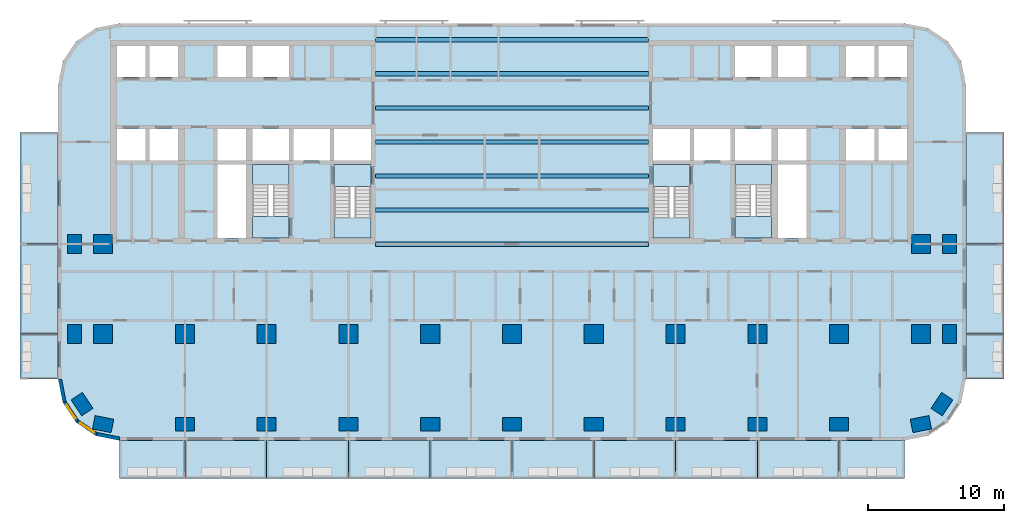
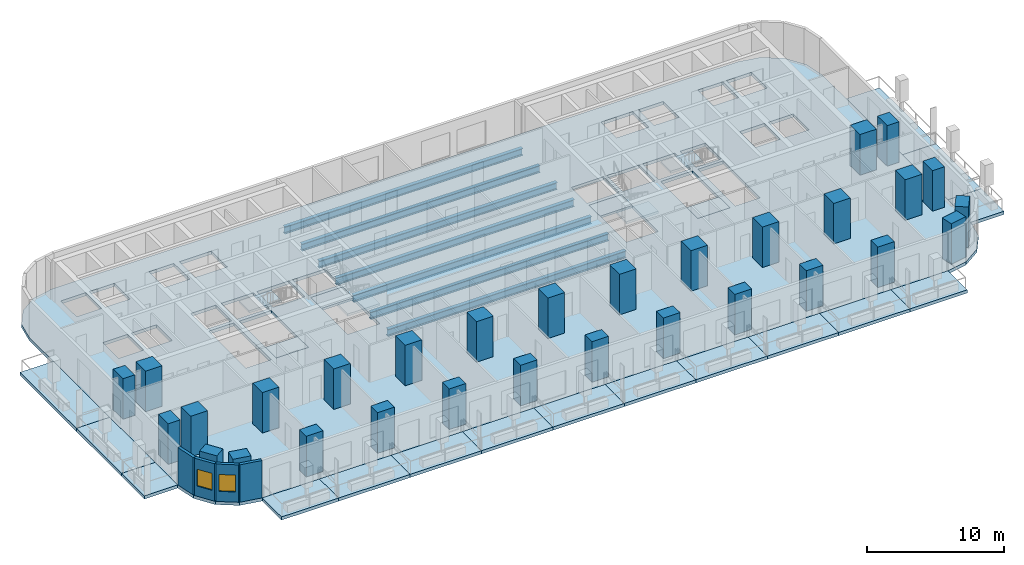
# One storey, part 1 of 15: 30 columns, 25 slabs, 7 beams, 4 walls, 2 windows, 2 openings, 4 elements without a shape of their own.
"""IFC4 building model written with IfcOpenShell, lengths in metres."""

import ifcopenshell
import ifcopenshell.guid

model = None  # the IFC model being written
_history = None  # IfcOwnerHistory: only IFC2X3 demands one
_inside = {}  # id of a spatial element -> (the spatial element, [elements in it])
_under = {}  # id of a project, library or spatial element -> (it, [spatial elements below it])
_declared = {}  # id of a project -> (the project, [libraries it declares])
_typed = {}  # id of a type object -> (the type object, [elements of that type])
_made_of = {}  # id of a material, layer set ... -> (it, [elements and type objects made of it])


def new_model(schema):
    """Start an empty IFC model of exactly this schema.

    Asked for "IFC4X3", IfcOpenShell would pick the latest addendum, in which some entities
    have other attributes; the version numbers below select the first issue.
    IFC2X3 requires an IfcOwnerHistory on every rooted entity: one is made here for all.
    """
    global model, _history
    if schema == "IFC4X3":
        model = ifcopenshell.file(schema_version=(4, 3, 0, 0))
    else:
        model = ifcopenshell.file(schema=schema)
    _inside.clear()
    _under.clear()
    _declared.clear()
    _typed.clear()
    _made_of.clear()
    _history = None
    if model.schema == "IFC2X3":
        org = make("IfcOrganization", Name="unknown")
        user = make(
            "IfcPersonAndOrganization",
            ThePerson=make("IfcPerson", FamilyName="unknown"),
            TheOrganization=org,
        )
        app = make(
            "IfcApplication",
            ApplicationDeveloper=org,
            Version="unknown",
            ApplicationFullName="unknown",
            ApplicationIdentifier="unknown",
        )
        _history = make(
            "IfcOwnerHistory",
            OwningUser=user,
            OwningApplication=app,
            ChangeAction="ADDED",
            CreationDate=0,
        )
    return model


def make(cls, **values):
    """One entity of the class cls with the attributes given. An attribute that is None is left unset."""
    return model.create_entity(
        cls, **{name: value for name, value in values.items() if value is not None}
    )


def rooted(cls, **values):
    """An entity with a GlobalId (a new one), such as an element, a storey or a relation."""
    return make(cls, GlobalId=ifcopenshell.guid.new(), OwnerHistory=_history, **values)


def si_unit(unit_type, name, prefix=None):
    """IfcSIUnit, for example si_unit("LENGTHUNIT", "METRE", prefix="MILLI")."""
    return make("IfcSIUnit", UnitType=unit_type, Prefix=prefix, Name=name)


def assignment(units):
    """IfcUnitAssignment: the units of a project."""
    return None if units is None else make("IfcUnitAssignment", Units=units)


def point(xyz):
    """IfcCartesianPoint."""
    return None if xyz is None else make("IfcCartesianPoint", Coordinates=xyz)


def direction(xyz):
    """IfcDirection."""
    return None if xyz is None else make("IfcDirection", DirectionRatios=xyz)


def frame(location, z_axis=None, x_axis=None):
    """IfcAxis2Placement3D, a coordinate frame: its origin and axes. An axis left out is left unset."""
    return make(
        "IfcAxis2Placement3D",
        Location=point(location),
        Axis=direction(z_axis),
        RefDirection=direction(x_axis),
    )


def frame_2d(location, x_axis=None):
    """IfcAxis2Placement2D, a coordinate frame in the plane: its origin and x axis."""
    return make(
        "IfcAxis2Placement2D", Location=point(location), RefDirection=direction(x_axis)
    )


def origin():
    """The frame at (0, 0, 0) with its axes left unset."""
    return frame((0.0, 0.0, 0.0))


def origin_2d():
    """The frame at (0, 0) in the plane with its x axis left unset."""
    return frame_2d((0.0, 0.0))


def place(relative_to, where):
    """IfcLocalPlacement: puts the frame where relative to a parent placement (None: the world)."""
    return make(
        "IfcLocalPlacement", PlacementRelTo=relative_to, RelativePlacement=where
    )


def context(
    kind, dimensions, precision=None, world=None, true_north=None, identifier=None
):
    """IfcGeometricRepresentationContext, for example the 3D "Model" context."""
    return make(
        "IfcGeometricRepresentationContext",
        ContextIdentifier=identifier,
        ContextType=kind,
        CoordinateSpaceDimension=dimensions,
        Precision=precision,
        WorldCoordinateSystem=world,
        TrueNorth=true_north,
    )


def subcontext(parent, identifier, kind, view, scale=None):
    """IfcGeometricRepresentationSubContext, for example "Body" below "Model"."""
    return make(
        "IfcGeometricRepresentationSubContext",
        ContextIdentifier=identifier,
        ContextType=kind,
        ParentContext=parent,
        TargetScale=scale,
        TargetView=view,
    )


def project(units=None, contexts=None):
    """IfcProject with its units and contexts."""
    return rooted(
        "IfcProject",
        Name="project",
        RepresentationContexts=contexts,
        UnitsInContext=assignment(units),
    )


def spatial(cls, under=None, at=None, **own):
    """A site, building, storey or space (cls), placed at a placement, below another one or the project."""
    s = rooted(cls, ObjectPlacement=at, **own)
    if under is not None:
        _under.setdefault(under.id(), (under, []))[1].append(s)
    return s


def polyline(points):
    """IfcPolyline through the points."""
    return make("IfcPolyline", Points=[point(p) for p in points])


def profile(cls, at=None, kind="AREA", **sizes):
    """A parametric profile (cls). Its sizes go by their IFC names, for example OverallWidth=200.0."""
    return make(cls, ProfileType=kind, Position=at, **sizes)


def rectangle(**sizes):
    """IfcRectangleProfileDef."""
    return profile("IfcRectangleProfileDef", **sizes)


def i_section(**sizes):
    """IfcIShapeProfileDef."""
    return profile("IfcIShapeProfileDef", **sizes)


def outline(outer, holes=None, kind="AREA"):
    """IfcArbitraryClosedProfileDef: a profile drawn as a closed curve; with holes, ...WithVoids."""
    if holes is None:
        return make("IfcArbitraryClosedProfileDef", ProfileType=kind, OuterCurve=outer)
    return make(
        "IfcArbitraryProfileDefWithVoids",
        ProfileType=kind,
        OuterCurve=outer,
        InnerCurves=holes,
    )


def extrude(swept, where, along, depth):
    """IfcExtrudedAreaSolid: the profile swept, set in the frame where, extruded along a direction by depth."""
    return make(
        "IfcExtrudedAreaSolid",
        SweptArea=swept,
        Position=where,
        ExtrudedDirection=direction(along),
        Depth=depth,
    )


def shape(context_of_items, identifier, shape_type, items):
    """IfcShapeRepresentation: the items that make up one representation, for example the "Body"."""
    return make(
        "IfcShapeRepresentation",
        ContextOfItems=context_of_items,
        RepresentationIdentifier=identifier,
        RepresentationType=shape_type,
        Items=items,
    )


def material(Name=None, Category=None):
    """IfcMaterial."""
    return make("IfcMaterial", Name=Name, Category=Category)


def layer(
    of_material, thickness, ventilated=None, Name=None, Category=None, Priority=None
):
    """IfcMaterialLayer: one layer of a wall or slab, of a material (None: an air gap)."""
    return make(
        "IfcMaterialLayer",
        Material=of_material,
        LayerThickness=thickness,
        IsVentilated=ventilated,
        Name=Name,
        Category=Category,
        Priority=Priority,
    )


def layer_set(layers, Name=None):
    """IfcMaterialLayerSet."""
    return make("IfcMaterialLayerSet", MaterialLayers=layers, LayerSetName=Name)


def material_profile(
    of_material, cross_section, Name=None, Category=None, Priority=None
):
    """IfcMaterialProfile: a cross section and its material."""
    return make(
        "IfcMaterialProfile",
        Name=Name,
        Material=of_material,
        Profile=cross_section,
        Priority=Priority,
        Category=Category,
    )


def profile_set(profiles, Name=None, composite=None):
    """IfcMaterialProfileSet."""
    return make(
        "IfcMaterialProfileSet",
        Name=Name,
        MaterialProfiles=profiles,
        CompositeProfile=composite,
    )


def made_of(thing, what):
    """Note that an element or type object is made of a material, layer set ...; save() writes the relation."""
    if what is not None:
        _made_of.setdefault(what.id(), (what, []))[1].append(thing)
    return thing


def type_object(cls, material=None, **own):
    """A type object (cls), such as IfcWallType, which elements share."""
    return made_of(rooted(cls, **own), material)


def element(
    cls,
    number,
    at=None,
    inside=None,
    cuts=None,
    type_object=None,
    material=None,
    context=None,
    identifier="Body",
    shape_type=None,
    held_by="IfcProductDefinitionShape",
    body=None,
    shapes=None,
    **own,
):
    """One element of the class cls, such as IfcWall. Its Tag is "e" and its number.

    at: its placement. inside: the storey or other place that contains it. cuts: it is an
    opening in that element (IfcRelVoidsElement). A single representation is given by context,
    identifier, shape_type and body (its items); several are given by shapes. held_by: the class
    of the entity that holds the representations. save() writes the other relations.
    """
    e = rooted(cls, Tag="e%d" % number, ObjectPlacement=at, **own)
    if body is not None:
        shapes = [shape(context, identifier, shape_type, body)]
    if shapes is not None:
        e.Representation = make(held_by, Representations=shapes)
    if inside is not None:
        _inside.setdefault(inside.id(), (inside, []))[1].append(e)
    if cuts is not None:
        rooted(
            "IfcRelVoidsElement", RelatingBuildingElement=cuts, RelatedOpeningElement=e
        )
    if type_object is not None:
        _typed.setdefault(type_object.id(), (type_object, []))[1].append(e)
    return made_of(e, material)


def fill(opening, filler):
    """IfcRelFillsElement: the door or window that sits in an opening."""
    return rooted(
        "IfcRelFillsElement",
        RelatingOpeningElement=opening,
        RelatedBuildingElement=filler,
    )


def aggregate(whole, parts):
    """IfcRelAggregates: a whole, such as a stair, and the parts it consists of."""
    return rooted("IfcRelAggregates", RelatingObject=whole, RelatedObjects=parts)


def save(model, path):
    """Write the relations noted so far, then the file.

    IfcRelAggregates (storeys below a building ...), IfcRelContainedInSpatialStructure (elements
    in a storey), IfcRelDefinesByType, IfcRelAssociatesMaterial and IfcRelDeclares: one each for
    every whole, place, type object, material and project.
    """
    for whole, parts in _under.values():
        aggregate(whole, parts)
    for where, things in _inside.values():
        rooted(
            "IfcRelContainedInSpatialStructure",
            RelatedElements=things,
            RelatingStructure=where,
        )
    for kind, things in _typed.values():
        rooted("IfcRelDefinesByType", RelatedObjects=things, RelatingType=kind)
    for what, things in _made_of.values():
        rooted("IfcRelAssociatesMaterial", RelatedObjects=things, RelatingMaterial=what)
    for by, libraries in _declared.values():
        rooted("IfcRelDeclares", RelatingContext=by, RelatedDefinitions=libraries)
    model.write(path)


model = new_model("IFC4")

# Units and contexts
model_context = context("Model", 3, precision=1e-05, world=origin(), true_north=direction((0.0, 1.0)))
body_context = subcontext(model_context, "Body", "Model", "MODEL_VIEW")
ifc_project = project(units=[si_unit("LENGTHUNIT", "METRE"), si_unit("AREAUNIT", "SQUARE_METRE"), si_unit("VOLUMEUNIT", "CUBIC_METRE"), si_unit("PLANEANGLEUNIT", "RADIAN"), si_unit("MASSUNIT", "GRAM", prefix="KILO")], contexts=[model_context])

# Site, building, storey
site_placement = place(None, origin())
site = spatial("IfcSite", under=ifc_project, at=site_placement, CompositionType="ELEMENT")
building_placement = place(site_placement, origin())
building = spatial("IfcBuilding", under=site, at=building_placement, Name="Torana Hotel and Residences", CompositionType="ELEMENT")
storey_placement = place(building_placement, frame((0.0, 0.0, 92.39990234375)))
storey = spatial("IfcBuildingStorey", under=building, at=storey_placement, Name="L23", CompositionType="ELEMENT", Elevation=92.39990234375)

# Columns
ifc_material_1 = material(Name="Concrete C70/85", Category="concrete")
ifc_material_profile_1 = material_profile(ifc_material_1, rectangle(XDim=1.39990234375, YDim=1.0, at=origin_2d()), Name="RC 1400x1000")
ifc_profile_set_1 = profile_set([ifc_material_profile_1], Name="Concrete C70/85")
column_type_1 = type_object("IfcColumnType", Name="COLUMN RC 1400x1000 C70/85", PredefinedType="COLUMN", material=ifc_profile_set_1)
for number, where, z_axis, x_axis, name in (
    (1, (-32.10009765625, -21.60009765625, 0.0), (0.0, 0.0, 1.0), (0.0, 1.0, 0.0), "Column L23"),
    (2, (-32.10009765625, -15.0, 0.0), (0.0, 0.0, 1.0), (0.0, 1.0, 0.0), "Column L23"),
    (3, (-31.5439453125, -26.73291015625, 0.0), (0.0, 0.0, 1.0), (-0.555584744817, 0.831459915646, 0.0), "Column L23"),
    (4, (-30.0, -28.199951171875, 0.0), (0.0, 0.0, 1.0), (-0.980792089743, 0.195056086032, 0.0), "Column L23"),
    (5, (-24.0, -28.199951171875, 0.0), (0.0, 0.0, 1.0), (1.0, 0.0, 0.0), "Column L23"),
    (6, (-18.0, -28.199951171875, 0.0), (0.0, 0.0, 1.0), (1.0, 0.0, 0.0), "Column L23"),
    (7, (-12.0, -28.199951171875, 0.0), (0.0, 0.0, 1.0), (1.0, 0.0, 0.0), "Column L23"),
    (8, (-6.0, -28.199951171875, 0.0), (0.0, 0.0, 1.0), (1.0, 0.0, 0.0), "Column L23"),
    (9, (0.0, -28.199951171875, 0.0), (0.0, 0.0, 1.0), (1.0, 0.0, 0.0), "Column L23"),
    (10, (6.0, -28.199951171875, 0.0), (0.0, 0.0, 1.0), (1.0, 0.0, 0.0), "Column L23"),
    (11, (12.0, -28.199951171875, 0.0), (0.0, 0.0, 1.0), (1.0, 0.0, 0.0), "Column L23"),
    (12, (18.0, -28.199951171875, 0.0), (0.0, 0.0, 1.0), (1.0, 0.0, 0.0), "Column L23"),
    (13, (24.0, -28.199951171875, 0.0), (0.0, 0.0, 1.0), (1.0, 0.0, 0.0), "Column L23"),
    (14, (30.0, -28.199951171875, 0.0), (0.0, 0.0, 1.0), (0.980792089743, 0.195056086032, 0.0), "Column L23"),
    (15, (31.5439453125, -26.73291015625, 0.0), (0.0, 0.0, 1.0), (0.555584744817, 0.831459915646, 0.0), "Column L23"),
    (16, (32.10009765625, -21.60009765625, 0.0), (0.0, 0.0, 1.0), (0.0, 1.0, 0.0), "Column L23"),
    (17, (32.10009765625, -15.0, 0.0), (0.0, 0.0, 1.0), (0.0, 1.0, 0.0), "Column L23"),
):
    element("IfcColumn", number, at=place(storey_placement, frame(where, z_axis=z_axis, x_axis=x_axis)), inside=storey, type_object=column_type_1, Name=name, PredefinedType="COLUMN", context=body_context, shape_type="SweptSolid", body=[
        extrude(rectangle(XDim=1.39990234375, YDim=1.0, at=origin_2d()), origin(), (0.0, 0.0, 1.0), 3.60009765625),
    ])
ifc_material_2 = material(Name="Concrete C70/85", Category="concrete")
ifc_material_profile_2 = material_profile(ifc_material_2, rectangle(XDim=1.39990234375, YDim=1.39990234375, at=origin_2d()), Name="RC 1400x1400")
ifc_profile_set_2 = profile_set([ifc_material_profile_2], Name="Concrete C70/85")
column_type_2 = type_object("IfcColumnType", Name="COLUMN RC 1400x1400 C70/85", PredefinedType="COLUMN", material=ifc_profile_set_2)
for number, where, z_axis, x_axis, name in (
    (18, (-30.0, -21.60009765625, 0.0), (0.0, 0.0, 1.0), (1.0, 0.0, 0.0), "Column L23"),
    (19, (-30.0, -15.0, 0.0), (0.0, 0.0, 1.0), (1.0, 0.0, 0.0), "Column L23"),
    (20, (-24.0, -21.60009765625, 0.0), (0.0, 0.0, 1.0), (1.0, 0.0, 0.0), "Column L23"),
    (21, (-18.0, -21.60009765625, 0.0), (0.0, 0.0, 1.0), (1.0, 0.0, 0.0), "Column L23"),
    (22, (-12.0, -21.60009765625, 0.0), (0.0, 0.0, 1.0), (1.0, 0.0, 0.0), "Column L23"),
    (23, (-6.0, -21.60009765625, 0.0), (0.0, 0.0, 1.0), (1.0, 0.0, 0.0), "Column L23"),
    (24, (0.0, -21.60009765625, 0.0), (0.0, 0.0, 1.0), (1.0, 0.0, 0.0), "Column L23"),
    (25, (6.0, -21.60009765625, 0.0), (0.0, 0.0, 1.0), (1.0, 0.0, 0.0), "Column L23"),
    (26, (12.0, -21.60009765625, 0.0), (0.0, 0.0, 1.0), (1.0, 0.0, 0.0), "Column L23"),
    (27, (18.0, -21.60009765625, 0.0), (0.0, 0.0, 1.0), (1.0, 0.0, 0.0), "Column L23"),
    (28, (24.0, -21.60009765625, 0.0), (0.0, 0.0, 1.0), (1.0, 0.0, 0.0), "Column L23"),
    (29, (30.0, -21.60009765625, 0.0), (0.0, 0.0, 1.0), (1.0, 0.0, 0.0), "Column L23"),
    (30, (30.0, -15.0, 0.0), (0.0, 0.0, 1.0), (1.0, 0.0, 0.0), "Column L23"),
):
    element("IfcColumn", number, at=place(storey_placement, frame(where, z_axis=z_axis, x_axis=x_axis)), inside=storey, type_object=column_type_2, Name=name, PredefinedType="COLUMN", context=body_context, shape_type="SweptSolid", body=[
        extrude(rectangle(XDim=1.39990234375, YDim=1.39990234375, at=origin_2d()), origin(), (0.0, 0.0, 1.0), 3.60009765625),
    ])

# Beams
ifc_material_3 = material(Name="Steel S355", Category="steel")
ifc_material_profile_3 = material_profile(ifc_material_3, i_section(OverallWidth=0.311279296875, OverallDepth=0.6357421875, WebThickness=0.018310546875, FlangeThickness=0.031494140625, FilletRadius=0.0166015625, at=origin_2d()), Name="610x305x238 UB")
ifc_profile_set_3 = profile_set([ifc_material_profile_3], Name="Steel S355")
beam_type = type_object("IfcBeamType", Name="STEEL GIRDER 610x305x238 UB", PredefinedType="BEAM", material=ifc_profile_set_3)
for number, where, z_axis, x_axis, name in (
    (31, (-10.0, -15.0, -0.597900390625), (1.0, 0.0, 0.0), (0.0, 1.0, 0.0), "Floor girder"),
    (32, (-10.0, -12.5, -0.597900390625), (1.0, 0.0, 0.0), (0.0, 1.0, 0.0), "Floor girder"),
    (33, (-10.0, -10.0, -0.597900390625), (1.0, 0.0, 0.0), (0.0, 1.0, 0.0), "Floor girder"),
    (34, (-10.0, -7.5, -0.597900390625), (1.0, 0.0, 0.0), (0.0, 1.0, 0.0), "Floor girder"),
    (35, (-10.0, -5.0, -0.597900390625), (1.0, 0.0, 0.0), (0.0, 1.0, 0.0), "Floor girder"),
    (36, (-10.0, -2.5, -0.597900390625), (1.0, 0.0, 0.0), (0.0, 1.0, 0.0), "Floor girder"),
    (37, (-10.0, 0.0, -0.597900390625), (1.0, 0.0, 0.0), (0.0, 1.0, 0.0), "Floor girder"),
):
    element("IfcBeam", number, at=place(storey_placement, frame(where, z_axis=z_axis, x_axis=x_axis)), inside=storey, type_object=beam_type, Name=name, PredefinedType="BEAM", context=body_context, shape_type="SweptSolid", body=[
        extrude(i_section(OverallWidth=0.311279296875, OverallDepth=0.6357421875, WebThickness=0.018310546875, FlangeThickness=0.031494140625, FilletRadius=0.0166015625, at=origin_2d()), origin(), (0.0, 0.0, 1.0), 20.0),
    ])

# Slabs
ifc_material_4 = material(Name="Concrete C40/50", Category="concrete")
ifc_layer_1 = layer(ifc_material_4, 0.280029296875)
ifc_layer_set_1 = layer_set([ifc_layer_1], Name="BAL1 BALCONY SLAB 280")
slab_type_1 = type_object("IfcSlabType", Name="BAL1 BALCONY SLAB 280", PredefinedType="USERDEFINED", material=ifc_layer_set_1)
slab_1_placement = place(storey_placement, frame((0.0, 0.0, -0.27978515625)))
element("IfcSlab", 38, at=slab_1_placement, inside=storey, type_object=slab_type_1, Name="Balcony 01", ObjectType="BALCONY", PredefinedType="USERDEFINED", context=body_context, shape_type="SweptSolid", body=[
    extrude(outline(polyline([(-28.800048828125, -32.199951171875), (-24.0, -32.199951171875), (-24.0, -29.39990234375), (-28.800048828125, -29.39990234375), (-28.800048828125, -32.199951171875)])), origin(), (0.0, 0.0, 1.0), 0.27978515625),
])
slab_2_placement = place(storey_placement, frame((0.0, 0.0, -0.27978515625)))
element("IfcSlab", 39, at=slab_2_placement, inside=storey, type_object=slab_type_1, Name="Balcony 02", ObjectType="BALCONY", PredefinedType="USERDEFINED", context=body_context, shape_type="SweptSolid", body=[
    extrude(outline(polyline([(-24.0, -32.199951171875), (-18.0, -32.199951171875), (-18.0, -29.39990234375), (-24.0, -29.39990234375), (-24.0, -32.199951171875)])), origin(), (0.0, 0.0, 1.0), 0.27978515625),
])
slab_3_placement = place(storey_placement, frame((0.0, 0.0, -0.27978515625)))
element("IfcSlab", 40, at=slab_3_placement, inside=storey, type_object=slab_type_1, Name="Balcony 03", ObjectType="BALCONY", PredefinedType="USERDEFINED", context=body_context, shape_type="SweptSolid", body=[
    extrude(outline(polyline([(-18.0, -32.199951171875), (-12.0, -32.199951171875), (-12.0, -29.39990234375), (-18.0, -29.39990234375), (-18.0, -32.199951171875)])), origin(), (0.0, 0.0, 1.0), 0.27978515625),
])
slab_4_placement = place(storey_placement, frame((0.0, 0.0, -0.27978515625)))
element("IfcSlab", 41, at=slab_4_placement, inside=storey, type_object=slab_type_1, Name="Balcony 04", ObjectType="BALCONY", PredefinedType="USERDEFINED", context=body_context, shape_type="SweptSolid", body=[
    extrude(outline(polyline([(-12.0, -32.199951171875), (-6.0, -32.199951171875), (-6.0, -29.39990234375), (-12.0, -29.39990234375), (-12.0, -32.199951171875)])), origin(), (0.0, 0.0, 1.0), 0.27978515625),
])
slab_5_placement = place(storey_placement, frame((0.0, 0.0, -0.27978515625)))
element("IfcSlab", 42, at=slab_5_placement, inside=storey, type_object=slab_type_1, Name="Balcony 05", ObjectType="BALCONY", PredefinedType="USERDEFINED", context=body_context, shape_type="SweptSolid", body=[
    extrude(outline(polyline([(-6.0, -32.199951171875), (0.0, -32.199951171875), (0.0, -29.39990234375), (-6.0, -29.39990234375), (-6.0, -32.199951171875)])), origin(), (0.0, 0.0, 1.0), 0.27978515625),
])
slab_6_placement = place(storey_placement, frame((0.0, 0.0, -0.27978515625)))
element("IfcSlab", 43, at=slab_6_placement, inside=storey, type_object=slab_type_1, Name="Balcony 06", ObjectType="BALCONY", PredefinedType="USERDEFINED", context=body_context, shape_type="SweptSolid", body=[
    extrude(outline(polyline([(0.0, -32.199951171875), (6.0, -32.199951171875), (6.0, -29.39990234375), (0.0, -29.39990234375), (0.0, -32.199951171875)])), origin(), (0.0, 0.0, 1.0), 0.27978515625),
])
slab_7_placement = place(storey_placement, frame((0.0, 0.0, -0.27978515625)))
element("IfcSlab", 44, at=slab_7_placement, inside=storey, type_object=slab_type_1, Name="Balcony 07", ObjectType="BALCONY", PredefinedType="USERDEFINED", context=body_context, shape_type="SweptSolid", body=[
    extrude(outline(polyline([(6.0, -32.199951171875), (12.0, -32.199951171875), (12.0, -29.39990234375), (6.0, -29.39990234375), (6.0, -32.199951171875)])), origin(), (0.0, 0.0, 1.0), 0.27978515625),
])
slab_8_placement = place(storey_placement, frame((0.0, 0.0, -0.27978515625)))
element("IfcSlab", 45, at=slab_8_placement, inside=storey, type_object=slab_type_1, Name="Balcony 08", ObjectType="BALCONY", PredefinedType="USERDEFINED", context=body_context, shape_type="SweptSolid", body=[
    extrude(outline(polyline([(12.0, -32.199951171875), (18.0, -32.199951171875), (18.0, -29.39990234375), (12.0, -29.39990234375), (12.0, -32.199951171875)])), origin(), (0.0, 0.0, 1.0), 0.27978515625),
])
slab_9_placement = place(storey_placement, frame((0.0, 0.0, -0.27978515625)))
element("IfcSlab", 46, at=slab_9_placement, inside=storey, type_object=slab_type_1, Name="Balcony 09", ObjectType="BALCONY", PredefinedType="USERDEFINED", context=body_context, shape_type="SweptSolid", body=[
    extrude(outline(polyline([(18.0, -32.199951171875), (24.0, -32.199951171875), (24.0, -29.39990234375), (18.0, -29.39990234375), (18.0, -32.199951171875)])), origin(), (0.0, 0.0, 1.0), 0.27978515625),
])
slab_10_placement = place(storey_placement, frame((0.0, 0.0, -0.27978515625)))
element("IfcSlab", 47, at=slab_10_placement, inside=storey, type_object=slab_type_1, Name="Balcony 10", ObjectType="BALCONY", PredefinedType="USERDEFINED", context=body_context, shape_type="SweptSolid", body=[
    extrude(outline(polyline([(24.0, -32.199951171875), (28.800048828125, -32.199951171875), (28.800048828125, -29.39990234375), (24.0, -29.39990234375), (24.0, -32.199951171875)])), origin(), (0.0, 0.0, 1.0), 0.27978515625),
])
slab_11_placement = place(storey_placement, frame((0.0, 0.0, -0.27978515625)))
element("IfcSlab", 48, at=slab_11_placement, inside=storey, type_object=slab_type_1, Name="Balcony 11", ObjectType="BALCONY", PredefinedType="USERDEFINED", context=body_context, shape_type="SweptSolid", body=[
    extrude(outline(polyline([(-36.10009765625, -24.89990234375), (-33.300048828125, -24.89990234375), (-33.300048828125, -21.60009765625), (-36.10009765625, -21.60009765625), (-36.10009765625, -24.89990234375)])), origin(), (0.0, 0.0, 1.0), 0.27978515625),
])
slab_12_placement = place(storey_placement, frame((0.0, 0.0, -0.27978515625)))
element("IfcSlab", 49, at=slab_12_placement, inside=storey, type_object=slab_type_1, Name="Balcony 12", ObjectType="BALCONY", PredefinedType="USERDEFINED", context=body_context, shape_type="SweptSolid", body=[
    extrude(outline(polyline([(-36.10009765625, -21.60009765625), (-33.300048828125, -21.60009765625), (-33.300048828125, -15.0), (-36.10009765625, -15.0), (-36.10009765625, -21.60009765625)])), origin(), (0.0, 0.0, 1.0), 0.27978515625),
])
slab_13_placement = place(storey_placement, frame((0.0, 0.0, -0.27978515625)))
element("IfcSlab", 50, at=slab_13_placement, inside=storey, type_object=slab_type_1, Name="Balcony 13", ObjectType="BALCONY", PredefinedType="USERDEFINED", context=body_context, shape_type="SweptSolid", body=[
    extrude(outline(polyline([(-36.10009765625, -15.0), (-33.300048828125, -15.0), (-33.300048828125, -6.800048828125), (-36.10009765625, -6.800048828125), (-36.10009765625, -15.0)])), origin(), (0.0, 0.0, 1.0), 0.27978515625),
])
slab_14_placement = place(storey_placement, frame((0.0, 0.0, -0.27978515625)))
element("IfcSlab", 51, at=slab_14_placement, inside=storey, type_object=slab_type_1, Name="Balcony 14", ObjectType="BALCONY", PredefinedType="USERDEFINED", context=body_context, shape_type="SweptSolid", body=[
    extrude(outline(polyline([(33.300048828125, -24.89990234375), (36.10009765625, -24.89990234375), (36.10009765625, -21.60009765625), (33.300048828125, -21.60009765625), (33.300048828125, -24.89990234375)])), origin(), (0.0, 0.0, 1.0), 0.27978515625),
])
slab_15_placement = place(storey_placement, frame((0.0, 0.0, -0.27978515625)))
element("IfcSlab", 52, at=slab_15_placement, inside=storey, type_object=slab_type_1, Name="Balcony 15", ObjectType="BALCONY", PredefinedType="USERDEFINED", context=body_context, shape_type="SweptSolid", body=[
    extrude(outline(polyline([(33.300048828125, -21.60009765625), (36.10009765625, -21.60009765625), (36.10009765625, -15.0), (33.300048828125, -15.0), (33.300048828125, -21.60009765625)])), origin(), (0.0, 0.0, 1.0), 0.27978515625),
])
slab_16_placement = place(storey_placement, frame((0.0, 0.0, -0.27978515625)))
element("IfcSlab", 53, at=slab_16_placement, inside=storey, type_object=slab_type_1, Name="Balcony 16", ObjectType="BALCONY", PredefinedType="USERDEFINED", context=body_context, shape_type="SweptSolid", body=[
    extrude(outline(polyline([(33.300048828125, -15.0), (36.10009765625, -15.0), (36.10009765625, -6.800048828125), (33.300048828125, -6.800048828125), (33.300048828125, -15.0)])), origin(), (0.0, 0.0, 1.0), 0.27978515625),
])
ifc_material_5 = material(Name="Concrete C40/50", Category="concrete")
ifc_layer_2 = layer(ifc_material_5, 0.280029296875)
ifc_layer_set_2 = layer_set([ifc_layer_2], Name="FLOOR SLAB PT 280")
slab_type_2 = type_object("IfcSlabType", Name="FLOOR SLAB PT 280", PredefinedType="FLOOR", material=ifc_layer_set_2)
slab_17_placement = place(storey_placement, frame((0.0, 0.0, -0.27978515625)))
element("IfcSlab", 54, at=slab_17_placement, inside=storey, type_object=slab_type_2, Name="Floor slab", PredefinedType="FLOOR", context=body_context, shape_type="SweptSolid", body=[
    extrude(outline(polyline([(33.300048828125, -3.300048828125), (32.95751953125, -1.577880859375), (31.98193359375, -0.117919921875), (30.522216796875, 0.857421875), (28.800048828125, 1.199951171875), (-28.800048828125, 1.199951171875), (-30.522216796875, 0.857421875), (-31.98193359375, -0.117919921875), (-32.95751953125, -1.577880859375), (-33.300048828125, -3.300048828125), (-33.300048828125, -24.89990234375), (-32.95751953125, -26.6220703125), (-31.98193359375, -28.08203125), (-30.522216796875, -29.0576171875), (-28.800048828125, -29.39990234375), (28.800048828125, -29.39990234375), (30.522216796875, -29.0576171875), (31.98193359375, -28.08203125), (32.95751953125, -26.6220703125), (33.300048828125, -24.89990234375), (33.300048828125, -3.300048828125)]), holes=[polyline([(-13.050048828125, -14.550048828125), (-10.35009765625, -14.550048828125), (-10.35009765625, -9.14990234375), (-13.050048828125, -9.14990234375), (-13.050048828125, -14.550048828125)]), polyline([(-19.050048828125, -14.550048828125), (-16.35009765625, -14.550048828125), (-16.35009765625, -9.14990234375), (-19.050048828125, -9.14990234375), (-19.050048828125, -14.550048828125)]), polyline([(-19.050048828125, -2.75), (-16.35009765625, -2.75), (-16.35009765625, -0.449951171875), (-19.050048828125, -0.449951171875), (-19.050048828125, -2.75)]), polyline([(-26.60009765625, -2.75), (-24.5, -2.75), (-24.5, -0.449951171875), (-26.60009765625, -0.449951171875), (-26.60009765625, -2.75)]), polyline([(-29.0, -2.75), (-26.89990234375, -2.75), (-26.89990234375, -0.449951171875), (-29.0, -0.449951171875), (-29.0, -2.75)]), polyline([(-26.60009765625, -8.85009765625), (-24.5, -8.85009765625), (-24.5, -6.550048828125), (-26.60009765625, -6.550048828125), (-26.60009765625, -8.85009765625)]), polyline([(-29.0, -8.85009765625), (-26.89990234375, -8.85009765625), (-26.89990234375, -6.550048828125), (-29.0, -6.550048828125), (-29.0, -8.85009765625)]), polyline([(-21.60009765625, -2.75), (-19.5, -2.75), (-19.5, -0.449951171875), (-21.60009765625, -0.449951171875), (-21.60009765625, -2.75)]), polyline([(-21.60009765625, -8.85009765625), (-19.5, -8.85009765625), (-19.5, -6.550048828125), (-21.60009765625, -6.550048828125), (-21.60009765625, -8.85009765625)]), polyline([(-13.050048828125, -8.85009765625), (-10.35009765625, -8.85009765625), (-10.35009765625, -6.550048828125), (-13.050048828125, -6.550048828125), (-13.050048828125, -8.85009765625)]), polyline([(-16.050048828125, -8.85009765625), (-13.35009765625, -8.85009765625), (-13.35009765625, -6.550048828125), (-16.050048828125, -6.550048828125), (-16.050048828125, -8.85009765625)]), polyline([(-19.050048828125, -8.85009765625), (-16.35009765625, -8.85009765625), (-16.35009765625, -6.550048828125), (-19.050048828125, -6.550048828125), (-19.050048828125, -8.85009765625)]), polyline([(-21.60009765625, -14.550048828125), (-19.5, -14.550048828125), (-19.5, -9.14990234375), (-21.60009765625, -9.14990234375), (-21.60009765625, -14.550048828125)]), polyline([(10.35009765625, -14.550048828125), (13.050048828125, -14.550048828125), (13.050048828125, -9.14990234375), (10.35009765625, -9.14990234375), (10.35009765625, -14.550048828125)]), polyline([(16.35009765625, -14.550048828125), (19.050048828125, -14.550048828125), (19.050048828125, -9.14990234375), (16.35009765625, -9.14990234375), (16.35009765625, -14.550048828125)]), polyline([(16.35009765625, -2.75), (19.050048828125, -2.75), (19.050048828125, -0.449951171875), (16.35009765625, -0.449951171875), (16.35009765625, -2.75)]), polyline([(24.5, -2.75), (26.60009765625, -2.75), (26.60009765625, -0.449951171875), (24.5, -0.449951171875), (24.5, -2.75)]), polyline([(26.89990234375, -2.75), (29.0, -2.75), (29.0, -0.449951171875), (26.89990234375, -0.449951171875), (26.89990234375, -2.75)]), polyline([(24.5, -8.85009765625), (26.60009765625, -8.85009765625), (26.60009765625, -6.550048828125), (24.5, -6.550048828125), (24.5, -8.85009765625)]), polyline([(26.89990234375, -8.85009765625), (29.0, -8.85009765625), (29.0, -6.550048828125), (26.89990234375, -6.550048828125), (26.89990234375, -8.85009765625)]), polyline([(19.5, -2.75), (21.60009765625, -2.75), (21.60009765625, -0.449951171875), (19.5, -0.449951171875), (19.5, -2.75)]), polyline([(19.5, -8.85009765625), (21.60009765625, -8.85009765625), (21.60009765625, -6.550048828125), (19.5, -6.550048828125), (19.5, -8.85009765625)]), polyline([(10.35009765625, -8.85009765625), (13.050048828125, -8.85009765625), (13.050048828125, -6.550048828125), (10.35009765625, -6.550048828125), (10.35009765625, -8.85009765625)]), polyline([(13.35009765625, -8.85009765625), (16.050048828125, -8.85009765625), (16.050048828125, -6.550048828125), (13.35009765625, -6.550048828125), (13.35009765625, -8.85009765625)]), polyline([(16.35009765625, -8.85009765625), (19.050048828125, -8.85009765625), (19.050048828125, -6.550048828125), (16.35009765625, -6.550048828125), (16.35009765625, -8.85009765625)]), polyline([(19.5, -14.550048828125), (21.60009765625, -14.550048828125), (21.60009765625, -9.14990234375), (19.5, -9.14990234375), (19.5, -14.550048828125)])]), origin(), (0.0, 0.0, 1.0), 0.27978515625),
])

# Stair, slabs
ifc_material_6 = material(Name="Concrete C40/50 precast", Category="concrete")
stair_type_1 = type_object("IfcStairType", Name="STAIR ST1 HALF TURN 1200", PredefinedType="HALF_TURN_STAIR", material=ifc_material_6)
stair_1_placement = place(storey_placement, origin())
stair_1 = element("IfcStair", 55, at=stair_1_placement, inside=storey, type_object=stair_type_1, Name="Stair ST1 L23", PredefinedType="HALF_TURN_STAIR")
ifc_material_7 = material(Name="Concrete C40/50 precast", Category="concrete")
ifc_layer_3 = layer(ifc_material_7, 0.199951171875)
ifc_layer_set_3 = layer_set([ifc_layer_3], Name="STAIR LANDING 200")
slab_type_3 = type_object("IfcSlabType", Name="STAIR LANDING 200", PredefinedType="LANDING", material=ifc_layer_set_3)
slab_18_placement = place(storey_placement, frame((0.0, 0.0, 1.60009765625)))
slab_18 = element("IfcSlab", 56, at=slab_18_placement, type_object=slab_type_3, Name="ST1 landing 1", PredefinedType="LANDING", context=body_context, shape_type="SweptSolid", body=[
    extrude(outline(polyline([(-13.050048828125, -14.550048828125), (-10.35009765625, -14.550048828125), (-10.35009765625, -13.090087890625), (-13.050048828125, -13.090087890625), (-13.050048828125, -14.550048828125)])), origin(), (0.0, 0.0, 1.0), 0.199951171875),
])
slab_19_placement = place(storey_placement, frame((0.0, 0.0, -0.199951171875)))
slab_19 = element("IfcSlab", 57, at=slab_19_placement, type_object=slab_type_3, Name="ST1 landing 2", PredefinedType="LANDING", context=body_context, shape_type="SweptSolid", body=[
    extrude(outline(polyline([(-13.050048828125, -10.75), (-10.35009765625, -10.75), (-10.35009765625, -9.14990234375), (-13.050048828125, -9.14990234375), (-13.050048828125, -10.75)])), origin(), (0.0, 0.0, 1.0), 0.199951171875),
])
aggregate(stair_1, [slab_18, slab_19])

ifc_material_8 = material(Name="Concrete C40/50 precast", Category="concrete")
stair_type_2 = type_object("IfcStairType", Name="STAIR ST2 HALF TURN 1200", PredefinedType="HALF_TURN_STAIR", material=ifc_material_8)
stair_2_placement = place(storey_placement, origin())
stair_2 = element("IfcStair", 58, at=stair_2_placement, inside=storey, type_object=stair_type_2, Name="Stair ST2 L23", PredefinedType="HALF_TURN_STAIR")
slab_20_placement = place(storey_placement, frame((0.0, 0.0, 1.60009765625)))
slab_20 = element("IfcSlab", 59, at=slab_20_placement, type_object=slab_type_3, Name="ST2 landing 1", PredefinedType="LANDING", context=body_context, shape_type="SweptSolid", body=[
    extrude(outline(polyline([(-19.050048828125, -10.610107421875), (-16.35009765625, -10.610107421875), (-16.35009765625, -9.14990234375), (-19.050048828125, -9.14990234375), (-19.050048828125, -10.610107421875)])), origin(), (0.0, 0.0, 1.0), 0.199951171875),
])
slab_21_placement = place(storey_placement, frame((0.0, 0.0, -0.199951171875)))
slab_21 = element("IfcSlab", 60, at=slab_21_placement, type_object=slab_type_3, Name="ST2 landing 2", PredefinedType="LANDING", context=body_context, shape_type="SweptSolid", body=[
    extrude(outline(polyline([(-19.050048828125, -14.550048828125), (-16.35009765625, -14.550048828125), (-16.35009765625, -12.949951171875), (-19.050048828125, -12.949951171875), (-19.050048828125, -14.550048828125)])), origin(), (0.0, 0.0, 1.0), 0.199951171875),
])
aggregate(stair_2, [slab_20, slab_21])

ifc_material_9 = material(Name="Concrete C40/50 precast", Category="concrete")
stair_type_3 = type_object("IfcStairType", Name="STAIR ST3 HALF TURN 1200", PredefinedType="HALF_TURN_STAIR", material=ifc_material_9)
stair_3_placement = place(storey_placement, origin())
stair_3 = element("IfcStair", 61, at=stair_3_placement, inside=storey, type_object=stair_type_3, Name="Stair ST3 L23", PredefinedType="HALF_TURN_STAIR")
slab_22_placement = place(storey_placement, frame((0.0, 0.0, 1.60009765625)))
slab_22 = element("IfcSlab", 62, at=slab_22_placement, type_object=slab_type_3, Name="ST3 landing 1", PredefinedType="LANDING", context=body_context, shape_type="SweptSolid", body=[
    extrude(outline(polyline([(10.35009765625, -14.550048828125), (13.050048828125, -14.550048828125), (13.050048828125, -13.090087890625), (10.35009765625, -13.090087890625), (10.35009765625, -14.550048828125)])), origin(), (0.0, 0.0, 1.0), 0.199951171875),
])
slab_23_placement = place(storey_placement, frame((0.0, 0.0, -0.199951171875)))
slab_23 = element("IfcSlab", 63, at=slab_23_placement, type_object=slab_type_3, Name="ST3 landing 2", PredefinedType="LANDING", context=body_context, shape_type="SweptSolid", body=[
    extrude(outline(polyline([(10.35009765625, -10.75), (13.050048828125, -10.75), (13.050048828125, -9.14990234375), (10.35009765625, -9.14990234375), (10.35009765625, -10.75)])), origin(), (0.0, 0.0, 1.0), 0.199951171875),
])
aggregate(stair_3, [slab_22, slab_23])

ifc_material_10 = material(Name="Concrete C40/50 precast", Category="concrete")
stair_type_4 = type_object("IfcStairType", Name="STAIR ST4 HALF TURN 1200", PredefinedType="HALF_TURN_STAIR", material=ifc_material_10)
stair_4_placement = place(storey_placement, origin())
stair_4 = element("IfcStair", 64, at=stair_4_placement, inside=storey, type_object=stair_type_4, Name="Stair ST4 L23", PredefinedType="HALF_TURN_STAIR")
slab_24_placement = place(storey_placement, frame((0.0, 0.0, 1.60009765625)))
slab_24 = element("IfcSlab", 65, at=slab_24_placement, type_object=slab_type_3, Name="ST4 landing 1", PredefinedType="LANDING", context=body_context, shape_type="SweptSolid", body=[
    extrude(outline(polyline([(16.35009765625, -10.610107421875), (19.050048828125, -10.610107421875), (19.050048828125, -9.14990234375), (16.35009765625, -9.14990234375), (16.35009765625, -10.610107421875)])), origin(), (0.0, 0.0, 1.0), 0.199951171875),
])
slab_25_placement = place(storey_placement, frame((0.0, 0.0, -0.199951171875)))
slab_25 = element("IfcSlab", 66, at=slab_25_placement, type_object=slab_type_3, Name="ST4 landing 2", PredefinedType="LANDING", context=body_context, shape_type="SweptSolid", body=[
    extrude(outline(polyline([(16.35009765625, -14.550048828125), (19.050048828125, -14.550048828125), (19.050048828125, -12.949951171875), (16.35009765625, -12.949951171875), (16.35009765625, -14.550048828125)])), origin(), (0.0, 0.0, 1.0), 0.199951171875),
])
aggregate(stair_4, [slab_24, slab_25])

# Wall
ifc_material_11 = material(Name="Black aluminium composite panel", Category="aluminium")
ifc_layer_4 = layer(ifc_material_11, 0.00390625, Name="Cladding", Category="cladding")
ifc_material_12 = material(Name="Ventilated air cavity")
ifc_layer_5 = layer(ifc_material_12, 0.0400390625, Name="Ventilated cavity", Category="cavity")
ifc_material_13 = material(Name="Mineral wool insulation")
ifc_layer_6 = layer(ifc_material_13, 0.090087890625, Name="Insulation", Category="insulation")
ifc_material_14 = material(Name="Steel S280GD", Category="steel")
ifc_layer_7 = layer(ifc_material_14, 0.092041015625, Name="Steel stud frame", Category="structure")
ifc_material_15 = material(Name="Fire rated plasterboard")
ifc_layer_8 = layer(ifc_material_15, 0.011962890625, Name="Inner board", Category="finish")
ifc_layer_9 = layer(ifc_material_15, 0.011962890625, Name="Second board", Category="finish")
ifc_layer_set_4 = layer_set([ifc_layer_4, ifc_layer_5, ifc_layer_6, ifc_layer_7, ifc_layer_8, ifc_layer_9], Name="EW1 EXTERNAL WALL BLACK METAL CLAD 250")
wall_type = type_object("IfcWallType", Name="EW1 EXTERNAL WALL BLACK METAL CLAD 250", PredefinedType="SOLIDWALL", material=ifc_layer_set_4)
wall_1_placement = place(storey_placement, frame((-33.172607421875, -24.89990234375, 0.0), z_axis=(0.0, 0.0, 1.0), x_axis=(0.195166572128, -0.980770110232, 0.0)))
element("IfcWall", 67, at=wall_1_placement, inside=storey, type_object=wall_type, Name="External wall L23 e0.10", PredefinedType="SOLIDWALL", context=body_context, shape_type="SweptSolid", body=[
    extrude(rectangle(XDim=1.68115234375, YDim=0.25, at=frame_2d((0.840576171875, 0.0))), origin(), (0.0, 0.0, 1.0), 3.320068359375),
])

# Wall, opening, window
wall_2_placement = place(storey_placement, frame((-32.825927734375, -26.593994140625, 0.0), z_axis=(0.0, 0.0, 1.0), x_axis=(0.55555029066, -0.831482937015, 0.0)))
wall_2 = element("IfcWall", 68, at=wall_2_placement, inside=storey, type_object=wall_type, Name="External wall L23 e0.11", PredefinedType="SOLIDWALL", context=body_context, shape_type="SweptSolid", body=[
    extrude(rectangle(XDim=1.65625, YDim=0.25, at=frame_2d((0.828125, 0.0))), origin(), (0.0, 0.0, 1.0), 3.320068359375),
])
opening_1_placement = place(wall_2_placement, frame((0.228271484375, 0.0, 0.89990234375)))
opening_1 = element("IfcOpeningElement", 69, at=opening_1_placement, cuts=wall_2, Name="Opening W5", PredefinedType="OPENING", context=body_context, shape_type="SweptSolid", body=[
    extrude(rectangle(XDim=1.199951171875, YDim=1.5, at=frame_2d((0.60009765625, 0.75))), frame((0.0, 0.135009765625, 0.0), z_axis=(0.0, -1.0, 0.0), x_axis=(1.0, 0.0, 0.0)), (0.0, 0.0, 1.0), 0.27001953125),
])
ifc_material_16 = material(Name="Dark glass in black aluminium frame", Category="aluminium")
window_type = type_object("IfcWindowType", Name="W5 CORNER FACET WINDOW 1200x1500", PartitioningType="SINGLE_PANEL", PredefinedType="WINDOW", material=ifc_material_16)
window_1_placement = place(opening_1_placement, origin())
window_1 = element("IfcWindow", 70, at=window_1_placement, inside=storey, type_object=window_type, Name="Window L23 e0.11", OverallHeight=1.5, OverallWidth=1.199951171875, PartitioningType="SINGLE_PANEL", PredefinedType="WINDOW", context=body_context, shape_type="SweptSolid", body=[
    extrude(rectangle(XDim=1.199951171875, YDim=1.5, at=frame_2d((0.60009765625, 0.75))), frame((0.0, 0.030029296875, 0.0), z_axis=(0.0, -1.0, 0.0), x_axis=(1.0, 0.0, 0.0)), (0.0, 0.0, 1.0), 0.06005859375),
])
fill(opening_1, window_1)

wall_3_placement = place(storey_placement, frame((-31.87109375, -28.005615234375, 0.0), z_axis=(0.0, 0.0, 1.0), x_axis=(0.831482937015, -0.55555029066, 0.0)))
wall_3 = element("IfcWall", 71, at=wall_3_placement, inside=storey, type_object=wall_type, Name="External wall L23 e0.12", PredefinedType="SOLIDWALL", context=body_context, shape_type="SweptSolid", body=[
    extrude(rectangle(XDim=1.65625, YDim=0.25, at=frame_2d((0.828125, 0.0))), origin(), (0.0, 0.0, 1.0), 3.320068359375),
])
opening_2_placement = place(wall_3_placement, frame((0.228271484375, 0.0, 0.89990234375)))
opening_2 = element("IfcOpeningElement", 72, at=opening_2_placement, cuts=wall_3, Name="Opening W5", PredefinedType="OPENING", context=body_context, shape_type="SweptSolid", body=[
    extrude(rectangle(XDim=1.199951171875, YDim=1.5, at=frame_2d((0.60009765625, 0.75))), frame((0.0, 0.135009765625, 0.0), z_axis=(0.0, -1.0, 0.0), x_axis=(1.0, 0.0, 0.0)), (0.0, 0.0, 1.0), 0.27001953125),
])
window_2_placement = place(opening_2_placement, origin())
window_2 = element("IfcWindow", 73, at=window_2_placement, inside=storey, type_object=window_type, Name="Window L23 e0.12", OverallHeight=1.5, OverallWidth=1.199951171875, PartitioningType="SINGLE_PANEL", PredefinedType="WINDOW", context=body_context, shape_type="SweptSolid", body=[
    extrude(rectangle(XDim=1.199951171875, YDim=1.5, at=frame_2d((0.60009765625, 0.75))), frame((0.0, 0.030029296875, 0.0), z_axis=(0.0, -1.0, 0.0), x_axis=(1.0, 0.0, 0.0)), (0.0, 0.0, 1.0), 0.06005859375),
])
fill(opening_2, window_2)

# Wall
wall_4_placement = place(storey_placement, frame((-30.448974609375, -28.944580078125, 0.0), z_axis=(0.0, 0.0, 1.0), x_axis=(0.980775640221, -0.19513878023, 0.0)))
element("IfcWall", 74, at=wall_4_placement, inside=storey, type_object=wall_type, Name="External wall L23 e0.13", PredefinedType="SOLIDWALL", context=body_context, shape_type="SweptSolid", body=[
    extrude(rectangle(XDim=1.681396484375, YDim=0.25, at=frame_2d((0.8408203125, 0.0))), origin(), (0.0, 0.0, 1.0), 3.320068359375),
])

save(model, "model.ifc")
